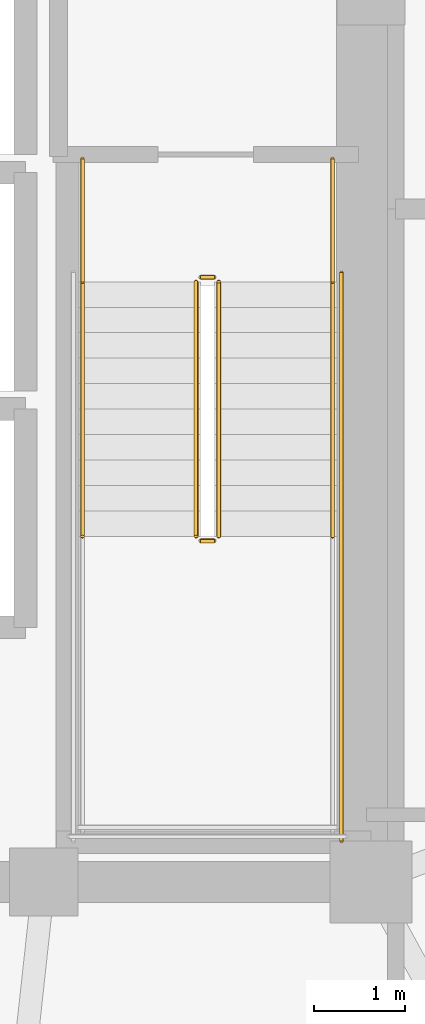
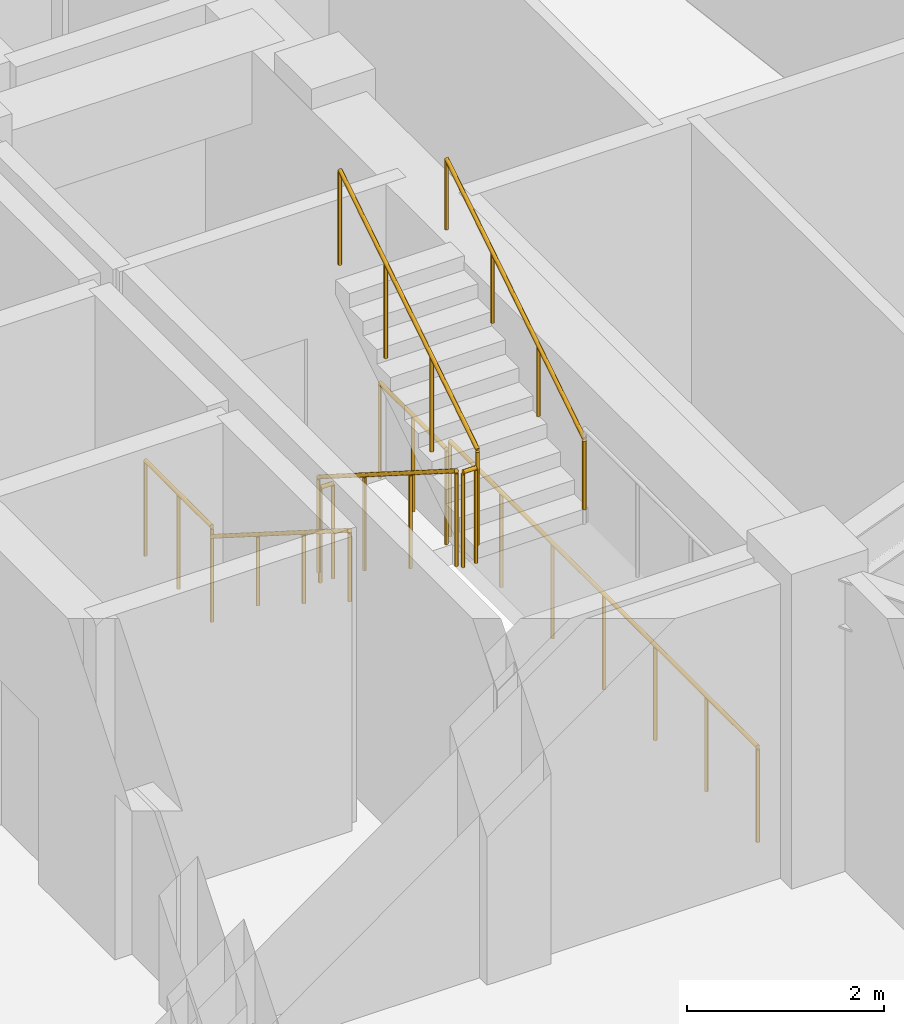
# One storey, part 14 of 15: 9 railings.
"""IFC4 building model written with IfcOpenShell, lengths in metres."""

from ifc_helpers import new_model, si_unit, direction, frame, origin, origin_2d, place, context, subcontext, project, spatial, circle, extrude, material, type_object, element, save


model = new_model("IFC4")

# Units and contexts
model_context = context("Model", 3, precision=1e-05, world=origin(), true_north=direction((0.0, 1.0)))
body_context = subcontext(model_context, "Body", "Model", "MODEL_VIEW")
ifc_project = project(units=[si_unit("LENGTHUNIT", "METRE"), si_unit("AREAUNIT", "SQUARE_METRE"), si_unit("VOLUMEUNIT", "CUBIC_METRE"), si_unit("PLANEANGLEUNIT", "RADIAN"), si_unit("MASSUNIT", "GRAM", prefix="KILO")], contexts=[model_context])

# Site, building, storey
site_placement = place(None, origin())
site = spatial("IfcSite", under=ifc_project, at=site_placement, CompositionType="ELEMENT")
building_placement = place(site_placement, origin())
building = spatial("IfcBuilding", under=site, at=building_placement, Name="Voryun Gate Residences", CompositionType="ELEMENT")
storey_placement = place(building_placement, frame((0.0, 0.0, 171.60009765625)))
storey = spatial("IfcBuildingStorey", under=building, at=storey_placement, Name="L42", CompositionType="ELEMENT", Elevation=171.60009765625)

# Railings
ifc_material_1 = material(Name="Painted steel", Category="steel")
railing_type_1 = type_object("IfcRailingType", Name="RAIL_STAIR_GUARD_1200", PredefinedType="GUARDRAIL", material=ifc_material_1)
railing_1_placement = place(storey_placement, frame((17.27490234375, -0.800048828125, 0.17724609375)))
element("IfcRailing", 1, at=railing_1_placement, inside=storey, type_object=railing_type_1, Name="L42 ST-E1 stair guard 1", PredefinedType="GUARDRAIL", context=body_context, shape_type="SweptSolid", body=[
    extrude(circle(Radius=0.02392578125, at=origin_2d()), frame((0.0, 0.0, 1.17578125), z_axis=(0.0, -0.844908973607, 0.534910110503), x_axis=(1.0, 0.0, 0.0)), (0.0, 0.0, 1.0), 3.31396484375),
    extrude(circle(Radius=0.02099609375, at=origin_2d()), origin(), (0.0, 0.0, 1.0), 1.15185546875),
    extrude(circle(Radius=0.02099609375, at=origin_2d()), frame((0.0, -0.933349609375, 0.5908203125)), (0.0, 0.0, 1.0), 1.15185546875),
    extrude(circle(Radius=0.02099609375, at=origin_2d()), frame((0.0, -1.86669921875, 1.181884765625)), (0.0, 0.0, 1.0), 1.15185546875),
    extrude(circle(Radius=0.02099609375, at=origin_2d()), frame((0.0, -2.800048828125, 1.772705078125)), (0.0, 0.0, 1.0), 1.15185546875),
])
railing_2_placement = place(storey_placement, frame((17.324951171875, -3.64990234375, 1.949951171875)))
element("IfcRailing", 2, at=railing_2_placement, inside=storey, type_object=railing_type_1, Name="L42 ST-E1 stair guard 2", PredefinedType="GUARDRAIL", context=body_context, shape_type="SweptSolid", body=[
    extrude(circle(Radius=0.02392578125, at=origin_2d()), frame((0.0, 0.0, 1.17578125), z_axis=(1.0, 0.0, 0.0), x_axis=(0.0, 1.0, 0.0)), (0.0, 0.0, 1.0), 0.150146484375),
    extrude(circle(Radius=0.02099609375, at=origin_2d()), origin(), (0.0, 0.0, 1.0), 1.15185546875),
    extrude(circle(Radius=0.02099609375, at=origin_2d()), frame((0.150146484375, 0.0, 0.0)), (0.0, 0.0, 1.0), 1.15185546875),
])
railing_3_placement = place(storey_placement, frame((17.52490234375, -3.60009765625, 2.127197265625)))
element("IfcRailing", 3, at=railing_3_placement, inside=storey, type_object=railing_type_1, Name="L42 ST-E1 stair guard 6", PredefinedType="GUARDRAIL", context=body_context, shape_type="SweptSolid", body=[
    extrude(circle(Radius=0.02392578125, at=origin_2d()), frame((0.0, 0.0, 1.17578125), z_axis=(0.0, 0.844908973607, 0.534910110503), x_axis=(-1.0, 0.0, 0.0)), (0.0, 0.0, 1.0), 3.31396484375),
    extrude(circle(Radius=0.02099609375, at=origin_2d()), origin(), (0.0, 0.0, 1.0), 1.15185546875),
    extrude(circle(Radius=0.02099609375, at=origin_2d()), frame((0.0, 0.933349609375, 0.5908203125)), (0.0, 0.0, 1.0), 1.15185546875),
    extrude(circle(Radius=0.02099609375, at=origin_2d()), frame((0.0, 1.86669921875, 1.181884765625)), (0.0, 0.0, 1.0), 1.15185546875),
    extrude(circle(Radius=0.02099609375, at=origin_2d()), frame((0.0, 2.800048828125, 1.772705078125)), (0.0, 0.0, 1.0), 1.15185546875),
])
railing_4_placement = place(storey_placement, frame((17.324951171875, -0.75, 0.0)))
element("IfcRailing", 4, at=railing_4_placement, inside=storey, type_object=railing_type_1, Name="L42 ST-E1 stair guard 7", PredefinedType="GUARDRAIL", context=body_context, shape_type="SweptSolid", body=[
    extrude(circle(Radius=0.02392578125, at=origin_2d()), frame((0.0, 0.0, 1.17578125), z_axis=(1.0, 0.0, 0.0), x_axis=(0.0, 1.0, 0.0)), (0.0, 0.0, 1.0), 0.150146484375),
    extrude(circle(Radius=0.02099609375, at=origin_2d()), origin(), (0.0, 0.0, 1.0), 1.15185546875),
    extrude(circle(Radius=0.02099609375, at=origin_2d()), frame((0.150146484375, 0.0, 0.0)), (0.0, 0.0, 1.0), 1.15185546875),
])
for number, where, name in (
    (5, (16.02490234375, 0.550048828125, 0.0), "L42 ST-E1 stair guard 8"),
    (6, (18.77490234375, 0.550048828125, 0.0), "L42 ST-E1 stair guard 9"),
):
    element("IfcRailing", number, at=place(storey_placement, frame(where)), inside=storey, type_object=railing_type_1, Name=name, PredefinedType="GUARDRAIL", context=body_context, shape_type="SweptSolid", body=[
        extrude(circle(Radius=0.02392578125, at=origin_2d()), frame((0.0, 0.0, 1.17578125), z_axis=(0.0, -1.0, 0.0), x_axis=(1.0, 0.0, 0.0)), (0.0, 0.0, 1.0), 1.35009765625),
        extrude(circle(Radius=0.02099609375, at=origin_2d()), origin(), (0.0, 0.0, 1.0), 1.15185546875),
        extrude(circle(Radius=0.02099609375, at=origin_2d()), frame((0.0, -0.675048828125, 0.0)), (0.0, 0.0, 1.0), 1.15185546875),
        extrude(circle(Radius=0.02099609375, at=origin_2d()), frame((0.0, -1.35009765625, 0.0)), (0.0, 0.0, 1.0), 1.15185546875),
    ])
railing_5_placement = place(storey_placement, frame((18.875, -0.699951171875, 0.0)))
element("IfcRailing", 7, at=railing_5_placement, inside=storey, type_object=railing_type_1, Name="L42 ST-E1 stair guard 11", PredefinedType="GUARDRAIL", context=body_context, shape_type="SweptSolid", body=[
    extrude(circle(Radius=0.02392578125, at=origin_2d()), frame((0.0, 0.0, 1.17578125), z_axis=(0.0, -1.0, 0.0), x_axis=(1.0, 0.0, 0.0)), (0.0, 0.0, 1.0), 6.25),
    extrude(circle(Radius=0.02099609375, at=origin_2d()), origin(), (0.0, 0.0, 1.0), 1.15185546875),
    extrude(circle(Radius=0.02099609375, at=origin_2d()), frame((0.0, -1.041748046875, 0.0)), (0.0, 0.0, 1.0), 1.15185546875),
    extrude(circle(Radius=0.02099609375, at=origin_2d()), frame((0.0, -2.083251953125, 0.0)), (0.0, 0.0, 1.0), 1.15185546875),
    extrude(circle(Radius=0.02099609375, at=origin_2d()), frame((0.0, -3.125, 0.0)), (0.0, 0.0, 1.0), 1.15185546875),
    extrude(circle(Radius=0.02099609375, at=origin_2d()), frame((0.0, -4.166748046875, 0.0)), (0.0, 0.0, 1.0), 1.15185546875),
    extrude(circle(Radius=0.02099609375, at=origin_2d()), frame((0.0, -5.208251953125, 0.0)), (0.0, 0.0, 1.0), 1.15185546875),
    extrude(circle(Radius=0.02099609375, at=origin_2d()), frame((0.0, -6.25, 0.0)), (0.0, 0.0, 1.0), 1.15185546875),
])
ifc_material_2 = material(Name="Painted steel", Category="steel")
railing_type_2 = type_object("IfcRailingType", Name="RAIL_STAIR_HANDRAIL_900", PredefinedType="HANDRAIL", material=ifc_material_2)
railing_6_placement = place(storey_placement, frame((16.02490234375, -0.800048828125, 0.17724609375)))
element("IfcRailing", 8, at=railing_6_placement, inside=storey, type_object=railing_type_2, Name="L42 ST-E1 stair handrail 1", PredefinedType="HANDRAIL", context=body_context, shape_type="SweptSolid", body=[
    extrude(circle(Radius=0.02392578125, at=origin_2d()), frame((0.0, 0.0, 0.8759765625), z_axis=(0.0, -0.844908973607, 0.534910110503), x_axis=(1.0, 0.0, 0.0)), (0.0, 0.0, 1.0), 3.31396484375),
    extrude(circle(Radius=0.02099609375, at=origin_2d()), origin(), (0.0, 0.0, 1.0), 0.851806640625),
    extrude(circle(Radius=0.02099609375, at=origin_2d()), frame((0.0, -0.933349609375, 0.5908203125)), (0.0, 0.0, 1.0), 0.851806640625),
    extrude(circle(Radius=0.02099609375, at=origin_2d()), frame((0.0, -1.86669921875, 1.181884765625)), (0.0, 0.0, 1.0), 0.851806640625),
    extrude(circle(Radius=0.02099609375, at=origin_2d()), frame((0.0, -2.800048828125, 1.772705078125)), (0.0, 0.0, 1.0), 0.851806640625),
])
railing_7_placement = place(storey_placement, frame((18.77490234375, -3.60009765625, 2.127197265625)))
element("IfcRailing", 9, at=railing_7_placement, inside=storey, type_object=railing_type_2, Name="L42 ST-E1 stair handrail 2", PredefinedType="HANDRAIL", context=body_context, shape_type="SweptSolid", body=[
    extrude(circle(Radius=0.02392578125, at=origin_2d()), frame((0.0, 0.0, 0.8759765625), z_axis=(0.0, 0.844908973607, 0.534910110503), x_axis=(-1.0, 0.0, 0.0)), (0.0, 0.0, 1.0), 3.31396484375),
    extrude(circle(Radius=0.02099609375, at=origin_2d()), origin(), (0.0, 0.0, 1.0), 0.851806640625),
    extrude(circle(Radius=0.02099609375, at=origin_2d()), frame((0.0, 0.933349609375, 0.5908203125)), (0.0, 0.0, 1.0), 0.851806640625),
    extrude(circle(Radius=0.02099609375, at=origin_2d()), frame((0.0, 1.86669921875, 1.181884765625)), (0.0, 0.0, 1.0), 0.851806640625),
    extrude(circle(Radius=0.02099609375, at=origin_2d()), frame((0.0, 2.800048828125, 1.772705078125)), (0.0, 0.0, 1.0), 0.851806640625),
])

save(model, "model.ifc")
